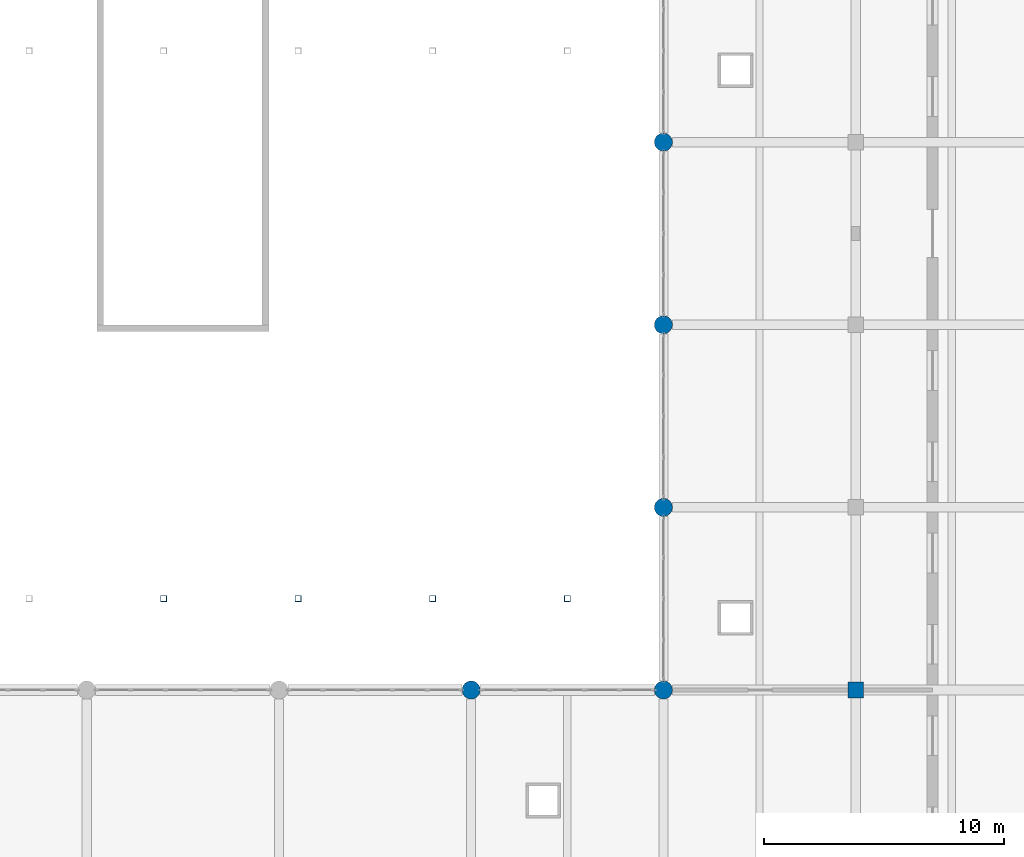
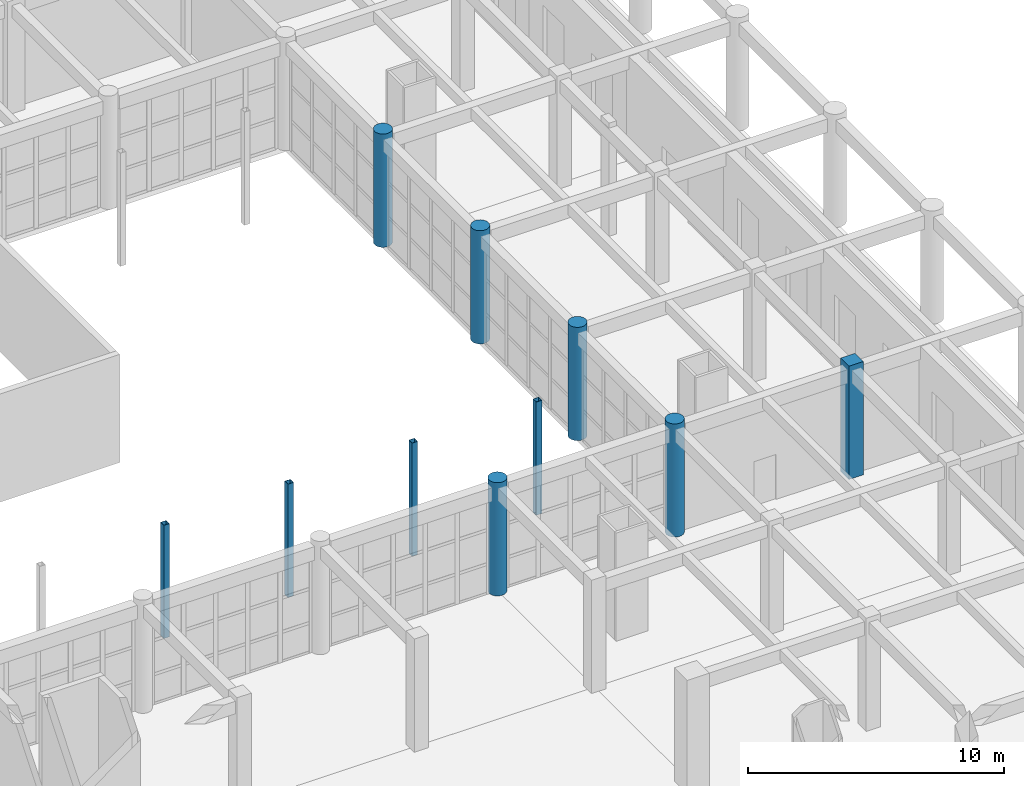
# One storey, part 10 of 95: 10 columns.
"""IFC4 building model written with IfcOpenShell, lengths in metres."""

from ifc_helpers import new_model, si_unit, direction, frame, origin, origin_2d, place, context, subcontext, project, spatial, rectangle, hollow_rectangle, circle, extrude, material, material_profile, profile_set, type_object, element, save


model = new_model("IFC4")

# Units and contexts
model_context = context("Model", 3, precision=1e-05, world=origin(), true_north=direction((0.0, 1.0)))
body_context = subcontext(model_context, "Body", "Model", "MODEL_VIEW")
ifc_project = project(units=[si_unit("LENGTHUNIT", "METRE"), si_unit("AREAUNIT", "SQUARE_METRE"), si_unit("VOLUMEUNIT", "CUBIC_METRE"), si_unit("PLANEANGLEUNIT", "RADIAN"), si_unit("MASSUNIT", "GRAM", prefix="KILO")], contexts=[model_context])

# Site, building, storey
site_placement = place(None, origin())
site = spatial("IfcSite", under=ifc_project, at=site_placement, CompositionType="ELEMENT")
building_placement = place(site_placement, origin())
building = spatial("IfcBuilding", under=site, at=building_placement, Name="Zantavel Square City Hall", CompositionType="ELEMENT")
storey_placement = place(building_placement, origin())
storey = spatial("IfcBuildingStorey", under=building, at=storey_placement, Name="L01", CompositionType="ELEMENT", Elevation=0.0)

# Columns
ifc_material_1 = material(Name="Concrete C40/50", Category="concrete")
ifc_material_profile_1 = material_profile(ifc_material_1, rectangle(XDim=0.64990234375, YDim=0.64990234375, at=origin_2d()), Name="RC 650x650")
ifc_profile_set_1 = profile_set([ifc_material_profile_1], Name="Concrete C40/50")
column_type_1 = type_object("IfcColumnType", Name="Column RC 650x650 C40/50", PredefinedType="COLUMN", material=ifc_profile_set_1)
column_placement = place(storey_placement, frame((160.0, 38.0, 0.0), z_axis=(0.0, 0.0, 1.0), x_axis=(1.0, 0.0, 0.0)))
element("IfcColumn", 1, at=column_placement, inside=storey, type_object=column_type_1, Name="L01 Column COL-L01-1600-0380", PredefinedType="COLUMN", context=body_context, shape_type="SweptSolid", body=[
    extrude(rectangle(XDim=0.64990234375, YDim=0.64990234375, at=origin_2d()), origin(), (0.0, 0.0, 1.0), 5.39990234375),
])
ifc_material_profile_2 = material_profile(ifc_material_1, circle(Radius=0.375, at=origin_2d()), Name="ROUND D750")
ifc_profile_set_2 = profile_set([ifc_material_profile_2], Name="Concrete C40/50")
column_type_2 = type_object("IfcColumnType", Name="Courtyard Ionic Column D750 C40/50", PredefinedType="COLUMN", material=ifc_profile_set_2)
for number, where, z_axis, x_axis, name in (
    (2, (144.0, 38.0, 0.0), (0.0, 0.0, 1.0), (1.0, 0.0, 0.0), "L01 Column COL-L01-1440-0380"),
    (3, (152.0, 38.0, 0.0), (0.0, 0.0, 1.0), (1.0, 0.0, 0.0), "L01 Column COL-L01-1520-0380"),
    (4, (152.0, 45.60009765625, 0.0), (0.0, 0.0, 1.0), (1.0, 0.0, 0.0), "L01 Column COL-L01-1520-0456"),
    (5, (152.0, 53.199951171875, 0.0), (0.0, 0.0, 1.0), (1.0, 0.0, 0.0), "L01 Column COL-L01-1520-0532"),
    (6, (152.0, 60.800048828125, 0.0), (0.0, 0.0, 1.0), (1.0, 0.0, 0.0), "L01 Column COL-L01-1520-0608"),
):
    element("IfcColumn", number, at=place(storey_placement, frame(where, z_axis=z_axis, x_axis=x_axis)), inside=storey, type_object=column_type_2, Name=name, PredefinedType="COLUMN", context=body_context, shape_type="SweptSolid", body=[
        extrude(circle(Radius=0.375, at=origin_2d()), origin(), (0.0, 0.0, 1.0), 5.39990234375),
    ])
ifc_material_2 = material(Name="Steel ASTM A500 Grade B", Category="steel")
ifc_material_profile_3 = material_profile(ifc_material_2, hollow_rectangle(XDim=0.25390625, YDim=0.25390625, WallThickness=0.0126953125, at=origin_2d()), Name="HSS 254x254x12.7")
ifc_profile_set_3 = profile_set([ifc_material_profile_3], Name="Steel ASTM A500 Grade B")
column_type_3 = type_object("IfcColumnType", Name="Pavilion Steel Column HSS254", PredefinedType="COLUMN", material=ifc_profile_set_3)
for number, where, z_axis, x_axis, name in (
    (7, (131.199951171875, 41.800048828125, 0.0), (0.0, 0.0, 1.0), (1.0, 0.0, 0.0), "L01 Courtyard Skylight Column 2-S"),
    (8, (136.800048828125, 41.800048828125, 0.0), (0.0, 0.0, 1.0), (1.0, 0.0, 0.0), "L01 Courtyard Skylight Column 3-S"),
    (9, (142.39990234375, 41.800048828125, 0.0), (0.0, 0.0, 1.0), (1.0, 0.0, 0.0), "L01 Courtyard Skylight Column 4-S"),
    (10, (148.0, 41.800048828125, 0.0), (0.0, 0.0, 1.0), (1.0, 0.0, 0.0), "L01 Courtyard Skylight Column 5-S"),
):
    element("IfcColumn", number, at=place(storey_placement, frame(where, z_axis=z_axis, x_axis=x_axis)), inside=storey, type_object=column_type_3, Name=name, PredefinedType="COLUMN", context=body_context, shape_type="SweptSolid", body=[
        extrude(hollow_rectangle(XDim=0.25390625, YDim=0.25390625, WallThickness=0.0126953125, at=origin_2d()), origin(), (0.0, 0.0, 1.0), 5.39990234375),
    ])

save(model, "model.ifc")
